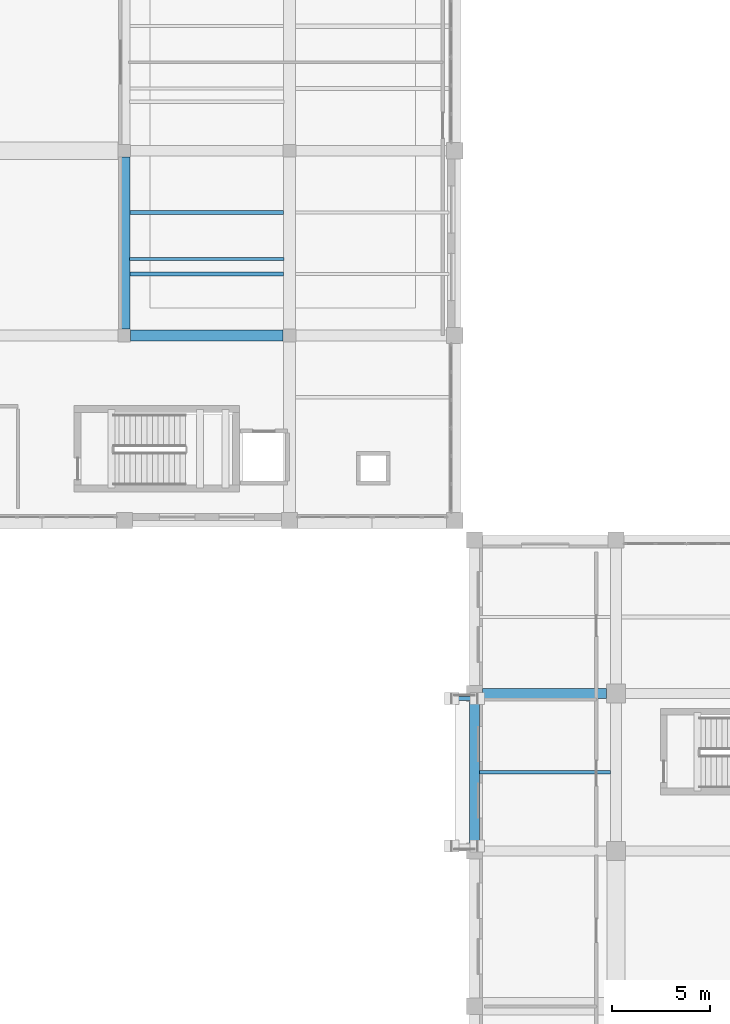
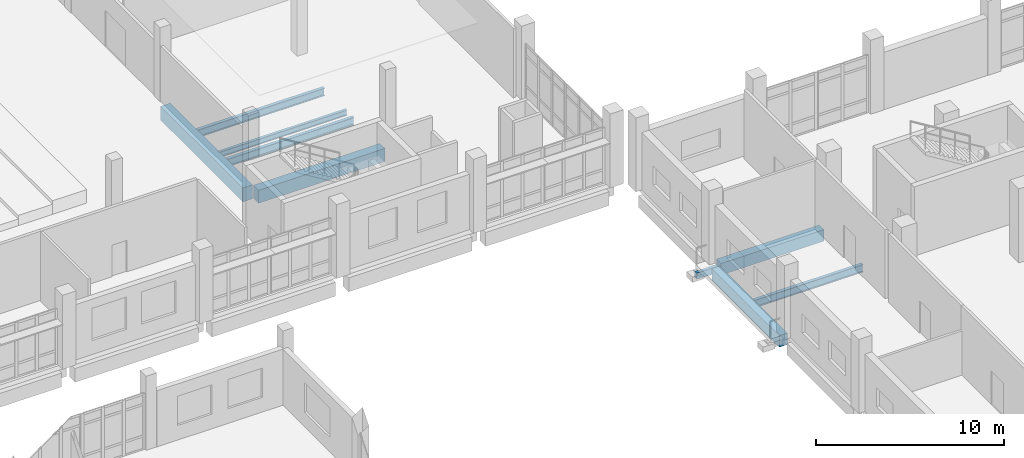
# One storey, part 24 of 90: 9 beams.
"""IFC4 building model written with IfcOpenShell, lengths in metres."""

from ifc_helpers import new_model, si_unit, direction, frame, origin, origin_2d, place, context, subcontext, project, spatial, rectangle, hollow_rectangle, i_section, extrude, material, material_profile, profile_set, type_object, element, save


model = new_model("IFC4")

# Units and contexts
model_context = context("Model", 3, precision=1e-05, world=origin(), true_north=direction((0.0, 1.0)))
body_context = subcontext(model_context, "Body", "Model", "MODEL_VIEW")
ifc_project = project(units=[si_unit("LENGTHUNIT", "METRE"), si_unit("AREAUNIT", "SQUARE_METRE"), si_unit("VOLUMEUNIT", "CUBIC_METRE"), si_unit("PLANEANGLEUNIT", "RADIAN"), si_unit("MASSUNIT", "GRAM", prefix="KILO")], contexts=[model_context])

# Site, building, storey
site_placement = place(None, origin())
site = spatial("IfcSite", under=ifc_project, at=site_placement, CompositionType="ELEMENT")
building_placement = place(site_placement, origin())
building = spatial("IfcBuilding", under=site, at=building_placement, Name="Kelarvand Opera House", CompositionType="ELEMENT")
storey_placement = place(building_placement, frame((0.0, 0.0, 5.39990234375)))
storey = spatial("IfcBuildingStorey", under=building, at=storey_placement, Name="L01", CompositionType="ELEMENT", Elevation=5.39990234375)

# Beams
ifc_material_1 = material(Name="Concrete C40/50", Category="concrete")
ifc_material_profile_1 = material_profile(ifc_material_1, rectangle(XDim=0.5, YDim=0.75, at=origin_2d()), Name="RC 500x750", Category="concrete")
ifc_profile_set_1 = profile_set([ifc_material_profile_1], Name="Concrete C40/50")
beam_type_1 = type_object("IfcBeamType", Name="Structural Beam RC 500x750 BM-RC500x750", PredefinedType="BEAM", material=ifc_profile_set_1)
beam_1_placement = place(storey_placement, frame((52.409912109375, 78.39990234375, -0.6748046875), z_axis=(1.0, 0.0, 0.0), x_axis=(0.0, 1.0, 0.0)))
element("IfcBeam", 1, at=beam_1_placement, inside=storey, type_object=beam_type_1, Name="V2 L01 Beam BM-RC500x750", PredefinedType="BEAM", context=body_context, shape_type="SweptSolid", body=[
    extrude(rectangle(XDim=0.5, YDim=0.75, at=origin_2d()), origin(), (0.0, 0.0, 1.0), 6.315185546875),
])
ifc_material_profile_2 = material_profile(ifc_material_1, rectangle(XDim=0.550048828125, YDim=0.85009765625, at=origin_2d()), Name="RC 550x850", Category="concrete")
ifc_profile_set_2 = profile_set([ifc_material_profile_2], Name="Concrete C40/50")
beam_type_2 = type_object("IfcBeamType", Name="Structural Beam RC 550x850 BM-RC550x850", PredefinedType="BEAM", material=ifc_profile_set_2)
beam_2_placement = place(storey_placement, frame((34.52490234375, 96.60009765625, -0.724853515625), z_axis=(1.0, 0.0, 0.0), x_axis=(0.0, 1.0, 0.0)))
element("IfcBeam", 2, at=beam_2_placement, inside=storey, type_object=beam_type_2, Name="V3 L01 Beam BM-RC550x850", PredefinedType="BEAM", context=body_context, shape_type="SweptSolid", body=[
    extrude(rectangle(XDim=0.550048828125, YDim=0.85009765625, at=origin_2d()), origin(), (0.0, 0.0, 1.0), 7.75),
])
ifc_material_profile_3 = material_profile(ifc_material_1, rectangle(XDim=0.60009765625, YDim=0.89990234375, at=origin_2d()), Name="RC 600x900", Category="concrete")
ifc_profile_set_3 = profile_set([ifc_material_profile_3], Name="Concrete C40/50")
beam_type_3 = type_object("IfcBeamType", Name="Structural Beam RC 600x900 BM-RC600x900", PredefinedType="BEAM", material=ifc_profile_set_3)
beam_3_placement = place(storey_placement, frame((34.199951171875, 96.925048828125, -0.75), z_axis=(0.0, 1.0, 0.0), x_axis=(-1.0, 0.0, 0.0)))
element("IfcBeam", 3, at=beam_3_placement, inside=storey, type_object=beam_type_3, Name="V3 L01 Beam BM-RC600x900", PredefinedType="BEAM", context=body_context, shape_type="SweptSolid", body=[
    extrude(rectangle(XDim=0.60009765625, YDim=0.89990234375, at=origin_2d()), origin(), (0.0, 0.0, 1.0), 8.75),
])
ifc_material_2 = material(Name="Steel S355", Category="steel")
ifc_material_profile_4 = material_profile(ifc_material_2, hollow_rectangle(XDim=0.199951171875, YDim=0.39990234375, WallThickness=0.01611328125, at=origin_2d()), Name="RHS 400x200x16.0", Category="steel")
ifc_profile_set_4 = profile_set([ifc_material_profile_4], Name="Steel S355")
beam_type_4 = type_object("IfcBeamType", Name="Structural Beam RHS 400x200x16.0 BM-RHS400", PredefinedType="BEAM", material=ifc_profile_set_4)
beam_4_placement = place(storey_placement, frame((50.85009765625, 78.14990234375, -0.52001953125), z_axis=(1.0, 0.0, 0.0), x_axis=(0.0, 1.0, 0.0)))
element("IfcBeam", 4, at=beam_4_placement, inside=storey, type_object=beam_type_4, Name="Seismic Sliding Corbel Beam BR-JW-N L01 2", PredefinedType="BEAM", context=body_context, shape_type="SweptSolid", body=[
    extrude(hollow_rectangle(XDim=0.199951171875, YDim=0.39990234375, WallThickness=0.01611328125, at=origin_2d()), origin(), (0.0, 0.0, 1.0), 1.2998046875),
])
ifc_material_profile_5 = material_profile(ifc_material_2, i_section(OverallWidth=0.199951171875, OverallDepth=0.5, WebThickness=0.01025390625, FlangeThickness=0.01611328125, at=origin_2d()), Name="IPE 500", Category="steel")
ifc_profile_set_5 = profile_set([ifc_material_profile_5], Name="Steel S355")
beam_type_5 = type_object("IfcBeamType", Name="Structural Joist IPE 500 JS-IPE500", PredefinedType="JOIST", material=ifc_profile_set_5)
beam_5_placement = place(storey_placement, frame((52.25, 74.39990234375, -0.5498046875), z_axis=(1.0, 0.0, 0.0), x_axis=(0.0, 1.0, 0.0)))
element("IfcBeam", 5, at=beam_5_placement, inside=storey, type_object=beam_type_5, Name="V2 L01 Beam JS-IPE500", PredefinedType="JOIST", context=body_context, shape_type="SweptSolid", body=[
    extrude(i_section(OverallWidth=0.199951171875, OverallDepth=0.5, WebThickness=0.01025390625, FlangeThickness=0.01611328125, at=origin_2d()), origin(), (0.0, 0.0, 1.0), 6.675048828125),
])
for number, where, z_axis, x_axis, name in (
    (6, (34.5, 99.7333984375, -0.5498046875), (1.0, 0.0, 0.0), (0.0, 1.0, 0.0), "V3 L01 Beam JS-IPE500"),
    (7, (34.5, 102.86669921875, -0.5498046875), (1.0, 0.0, 0.0), (0.0, 1.0, 0.0), "V3 L01 Beam JS-IPE500"),
):
    element("IfcBeam", number, at=place(storey_placement, frame(where, z_axis=z_axis, x_axis=x_axis)), inside=storey, type_object=beam_type_5, Name=name, PredefinedType="JOIST", context=body_context, shape_type="SweptSolid", body=[
        extrude(i_section(OverallWidth=0.199951171875, OverallDepth=0.5, WebThickness=0.01025390625, FlangeThickness=0.01611328125, at=origin_2d()), origin(), (0.0, 0.0, 1.0), 7.800048828125),
    ])
ifc_material_profile_6 = material_profile(ifc_material_2, i_section(OverallWidth=0.169921875, OverallDepth=0.360107421875, WebThickness=0.008056640625, FlangeThickness=0.0126953125, at=origin_2d()), Name="IPE 360", Category="steel")
ifc_profile_set_6 = profile_set([ifc_material_profile_6], Name="Steel S355")
beam_type_6 = type_object("IfcBeamType", Name="Structural Raker IPE 360 RK-IPE360", PredefinedType="USERDEFINED", material=ifc_profile_set_6)
beam_6_placement = place(storey_placement, frame((34.469970703125, 100.5, -0.47998046875), z_axis=(1.0, 0.0, 0.0), x_axis=(0.0, 1.0, 0.0)))
element("IfcBeam", 8, at=beam_6_placement, inside=storey, type_object=beam_type_6, Name="V3 Seating Raker Beam 1", ObjectType="RAKER", PredefinedType="USERDEFINED", context=body_context, shape_type="SweptSolid", body=[
    extrude(i_section(OverallWidth=0.169921875, OverallDepth=0.360107421875, WebThickness=0.008056640625, FlangeThickness=0.0126953125, at=origin_2d()), origin(), (0.0, 0.0, 1.0), 7.860107421875),
])
ifc_material_profile_7 = material_profile(ifc_material_1, rectangle(XDim=0.5, YDim=0.75, at=origin_2d()), Name="RC 500x750", Category="concrete")
ifc_profile_set_7 = profile_set([ifc_material_profile_7], Name="Concrete C40/50")
beam_type_7 = type_object("IfcBeamType", Name="Structural Spandrel RC 500x750 SP-RC500x750E", PredefinedType="SPANDREL", material=ifc_profile_set_7)
beam_7_placement = place(storey_placement, frame((52.0, 70.81005859375, -0.6748046875), z_axis=(0.0, 1.0, 0.0), x_axis=(-1.0, 0.0, 0.0)))
element("IfcBeam", 9, at=beam_7_placement, inside=storey, type_object=beam_type_7, Name="V2 L01 Beam SP-RC500x750E", PredefinedType="SPANDREL", context=body_context, shape_type="SweptSolid", body=[
    extrude(rectangle(XDim=0.5, YDim=0.75, at=origin_2d()), origin(), (0.0, 0.0, 1.0), 7.179931640625),
])

save(model, "model.ifc")
